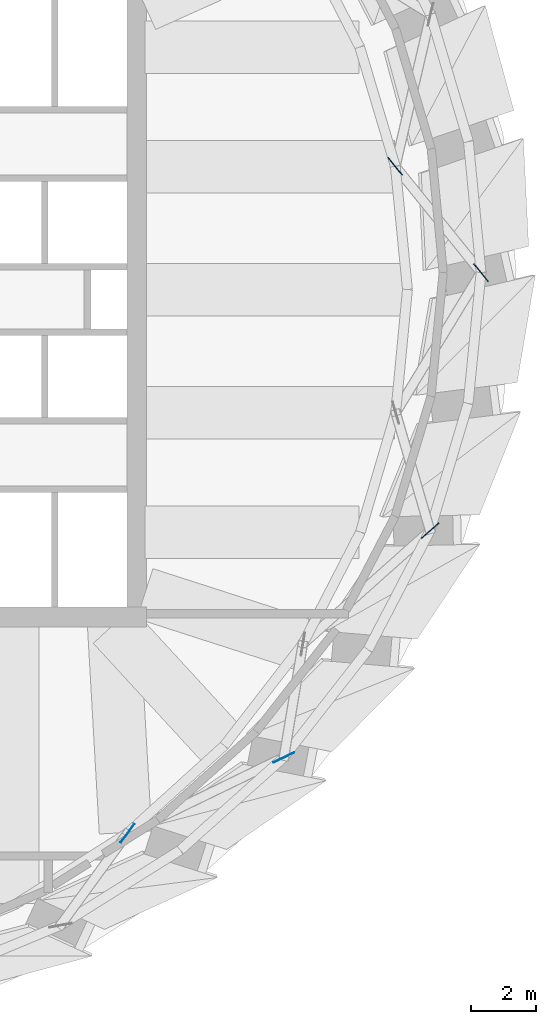
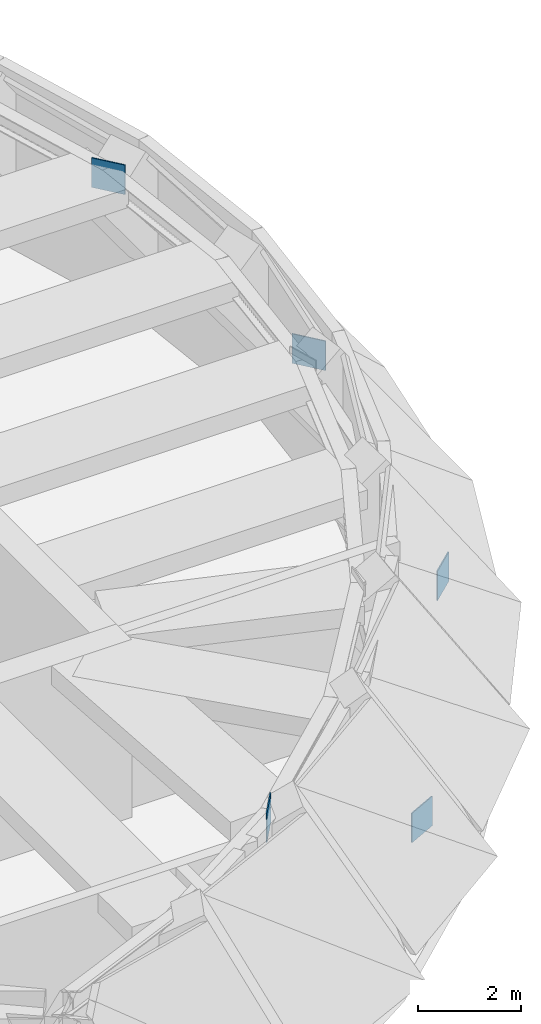
# One storey, part 9 of 14: 5 discrete accessories.
"""IFC4 building model written with IfcOpenShell, lengths in metres."""

from ifc_helpers import new_model, si_unit, direction, frame, origin, origin_2d, place, context, subcontext, project, spatial, rectangle, extrude, material, type_object, element, save


model = new_model("IFC4")

# Units and contexts
model_context = context("Model", 3, precision=1e-05, world=origin(), true_north=direction((0.0, 1.0)))
body_context = subcontext(model_context, "Body", "Model", "MODEL_VIEW")
ifc_project = project(units=[si_unit("LENGTHUNIT", "METRE"), si_unit("AREAUNIT", "SQUARE_METRE"), si_unit("VOLUMEUNIT", "CUBIC_METRE"), si_unit("PLANEANGLEUNIT", "RADIAN"), si_unit("MASSUNIT", "GRAM", prefix="KILO")], contexts=[model_context])

# Site, building, storey
site_placement = place(None, origin())
site = spatial("IfcSite", under=ifc_project, at=site_placement, CompositionType="ELEMENT")
building_placement = place(site_placement, origin())
building = spatial("IfcBuilding", under=site, at=building_placement, Name="Taillehof Tower", CompositionType="ELEMENT")
storey_placement = place(building_placement, frame((0.0, 0.0, 228.800048828125)))
storey = spatial("IfcBuildingStorey", under=building, at=storey_placement, Name="L65", CompositionType="ELEMENT", Elevation=228.800048828125)

# Discrete accessories
ifc_material = material(Name="Steel S460M", Category="steel")
discrete_accessory_type = type_object("IfcDiscreteAccessoryType", Name="Steel gusset plate", PredefinedType="BRACKET", material=ifc_material)
for number, where, z_axis, x_axis, name in (
    (1, (15.419921875, -16.31005859375, 3.669921875), (0.0, 0.0, 1.0), (0.58892838537, 0.80818522438, 0.0), "Gusset plate 299"),
    (2, (20.199951171875, -13.989990234375, 0.5498046875), (0.0, 0.0, 1.0), (0.899616472778, 0.436680892537, 0.0), "Gusset plate 300"),
    (3, (23.60009765625, 4.070068359375, 3.669921875), (0.0, 0.0, 1.0), (-0.628343303998, 0.777936174966, 0.0), "Gusset plate 304"),
    (4, (24.669921875, -7.06005859375, 0.5498046875), (0.0, 0.0, 1.0), (0.746197982537, 0.665724095146, 0.0), "Gusset plate 306"),
    (5, (26.219970703125, 0.820068359375, 0.5498046875), (0.0, 0.0, 1.0), (-0.628343303998, 0.777936174966, 0.0), "Gusset plate 308"),
):
    element("IfcDiscreteAccessory", number, at=place(storey_placement, frame(where, z_axis=z_axis, x_axis=x_axis)), inside=storey, type_object=discrete_accessory_type, Name=name, PredefinedType="BRACKET", context=body_context, shape_type="SweptSolid", body=[
        extrude(rectangle(XDim=0.699951171875, YDim=0.02490234375, at=origin_2d()), origin(), (0.0, 0.0, 1.0), 0.699951171875),
    ])

save(model, "model.ifc")
